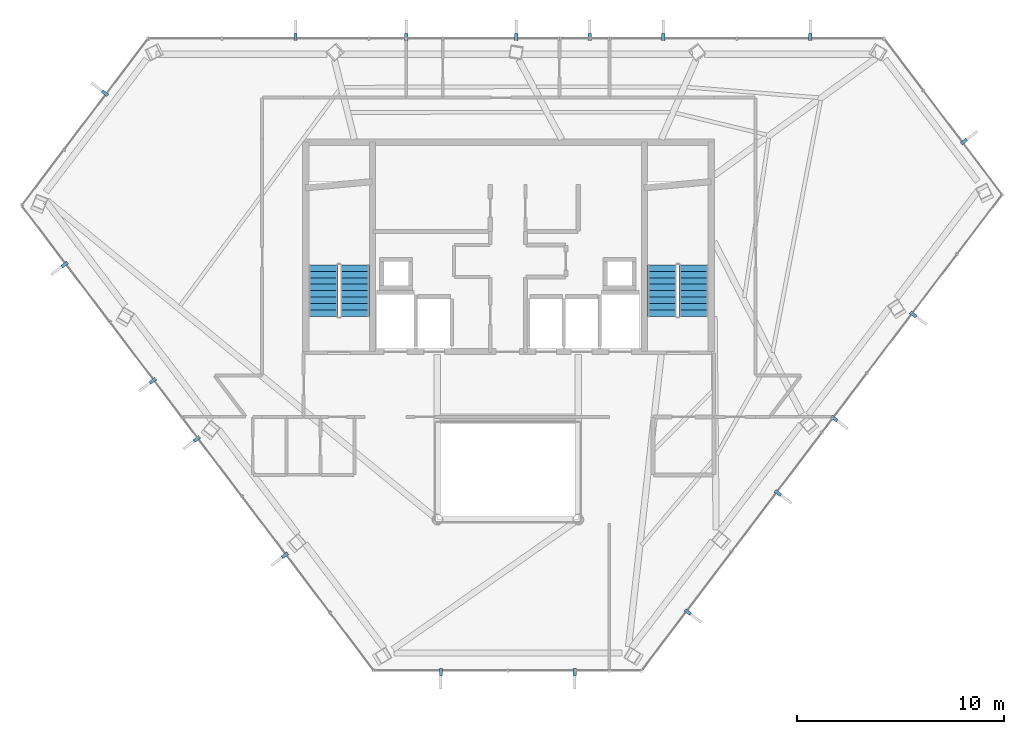
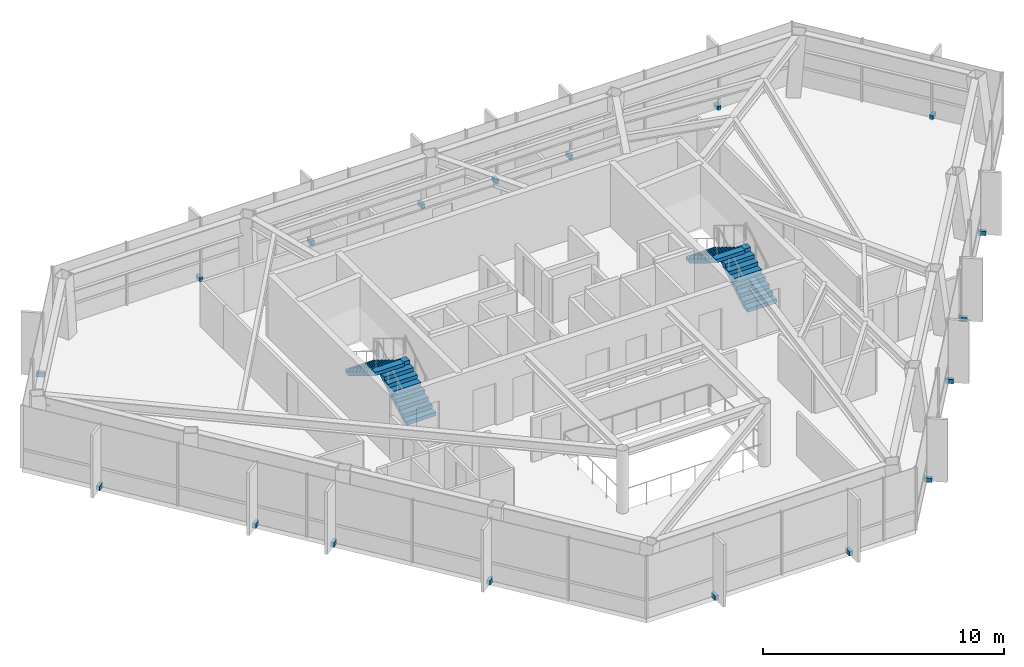
# One storey, part 26 of 27: 18 discrete accessories, 4 stair flights, 2 elements without a shape of their own.
"""IFC4 building model written with IfcOpenShell, lengths in metres."""

from ifc_helpers import new_model, si_unit, direction, frame, origin, origin_2d, place, context, subcontext, project, spatial, polyline, rectangle, outline, extrude, material, type_object, element, aggregate, save


model = new_model("IFC4")

# Units and contexts
model_context = context("Model", 3, precision=1e-05, world=origin(), true_north=direction((0.0, 1.0)))
body_context = subcontext(model_context, "Body", "Model", "MODEL_VIEW")
ifc_project = project(units=[si_unit("LENGTHUNIT", "METRE"), si_unit("AREAUNIT", "SQUARE_METRE"), si_unit("VOLUMEUNIT", "CUBIC_METRE"), si_unit("PLANEANGLEUNIT", "RADIAN"), si_unit("MASSUNIT", "GRAM", prefix="KILO")], contexts=[model_context])

# Site, building, storey
site_placement = place(None, origin())
site = spatial("IfcSite", under=ifc_project, at=site_placement, CompositionType="ELEMENT")
building_placement = place(site_placement, origin())
building = spatial("IfcBuilding", under=site, at=building_placement, Name="Zarrinselat Tower", CompositionType="ELEMENT")
storey_placement = place(building_placement, frame((0.0, 0.0, 215.56005859375)))
storey = spatial("IfcBuildingStorey", under=building, at=storey_placement, Name="L53", CompositionType="ELEMENT", Elevation=215.56005859375)

# Stair, stair flights
ifc_material_1 = material(Name="Concrete C40/50", Category="concrete")
stair_type = type_object("IfcStairType", Name="STR-CORE-155", PredefinedType="HALF_TURN_STAIR", material=ifc_material_1)
stair_1_placement = place(storey_placement, origin())
stair_1 = element("IfcStair", 1, at=stair_1_placement, inside=storey, type_object=stair_type, Name="L53 Core Exit Stair 1", PredefinedType="HALF_TURN_STAIR")
ifc_material_2 = material(Name="Concrete C40/50", Category="concrete")
stair_flight_type = type_object("IfcStairFlightType", Name="STR-FLT-155", PredefinedType="STRAIGHT", material=ifc_material_2)
stair_flight_1_placement = place(storey_placement, frame((31.02001953125, 35.0, 0.0), z_axis=(0.0, 0.0, 1.0), x_axis=(0.0, 1.0, 0.0)))
stair_flight_1 = element("IfcStairFlight", 2, at=stair_flight_1_placement, type_object=stair_flight_type, Name="ST-1 flight 1", NumberOfRisers=9, NumberOfTreads=8, PredefinedType="STRAIGHT", RiserHeight=0.188888889, TreadLength=0.31, context=body_context, shape_type="SweptSolid", body=[
    extrude(outline(polyline([(0.0, 0.0), (0.0, 0.18896484375), (0.31005859375, 0.18896484375), (0.31005859375, 0.377685546875), (0.6201171875, 0.377685546875), (0.6201171875, 0.566650390625), (0.929931640625, 0.566650390625), (0.929931640625, 0.755615234375), (1.239990234375, 0.755615234375), (1.239990234375, 0.9443359375), (1.550048828125, 0.9443359375), (1.550048828125, 1.13330078125), (1.860107421875, 1.13330078125), (1.860107421875, 1.322265625), (2.169921875, 1.322265625), (2.169921875, 1.51123046875), (2.47998046875, 1.51123046875), (2.47998046875, 1.699951171875), (2.47998046875, 1.335693359375), (0.2880859375, 0.0), (0.0, 0.0)])), frame((0.0, 0.699951171875, 0.0), z_axis=(0.0, -1.0, 0.0), x_axis=(1.0, 0.0, 0.0)), (0.0, 0.0, 1.0), 1.39990234375),
])
stair_flight_2_placement = place(storey_placement, frame((29.5, 37.47998046875, 1.699951171875), z_axis=(0.0, 0.0, 1.0), x_axis=(0.0, -1.0, 0.0)))
stair_flight_2 = element("IfcStairFlight", 3, at=stair_flight_2_placement, type_object=stair_flight_type, Name="ST-1 flight 2", NumberOfRisers=9, NumberOfTreads=8, PredefinedType="STRAIGHT", RiserHeight=0.188888889, TreadLength=0.31, context=body_context, shape_type="SweptSolid", body=[
    extrude(outline(polyline([(0.0, 0.0), (0.0, 0.18896484375), (0.31005859375, 0.18896484375), (0.31005859375, 0.377685546875), (0.6201171875, 0.377685546875), (0.6201171875, 0.566650390625), (0.929931640625, 0.566650390625), (0.929931640625, 0.755615234375), (1.239990234375, 0.755615234375), (1.239990234375, 0.9443359375), (1.550048828125, 0.9443359375), (1.550048828125, 1.13330078125), (1.860107421875, 1.13330078125), (1.860107421875, 1.322265625), (2.169921875, 1.322265625), (2.169921875, 1.51123046875), (2.47998046875, 1.51123046875), (2.47998046875, 1.699951171875), (2.47998046875, 1.335693359375), (0.2880859375, 0.0), (0.0, 0.0)])), frame((0.0, 0.699951171875, 0.0), z_axis=(0.0, -1.0, 0.0), x_axis=(1.0, 0.0, 0.0)), (0.0, 0.0, 1.0), 1.39990234375),
])
aggregate(stair_1, [stair_flight_1, stair_flight_2])

stair_2_placement = place(storey_placement, origin())
stair_2 = element("IfcStair", 4, at=stair_2_placement, inside=storey, type_object=stair_type, Name="L53 Core Exit Stair 2", PredefinedType="HALF_TURN_STAIR")
stair_flight_3_placement = place(storey_placement, frame((47.360107421875, 35.0, 0.0), z_axis=(0.0, 0.0, 1.0), x_axis=(0.0, 1.0, 0.0)))
stair_flight_3 = element("IfcStairFlight", 5, at=stair_flight_3_placement, type_object=stair_flight_type, Name="ST-2 flight 1", NumberOfRisers=9, NumberOfTreads=8, PredefinedType="STRAIGHT", RiserHeight=0.188888889, TreadLength=0.31, context=body_context, shape_type="SweptSolid", body=[
    extrude(outline(polyline([(0.0, 0.0), (0.0, 0.18896484375), (0.31005859375, 0.18896484375), (0.31005859375, 0.377685546875), (0.6201171875, 0.377685546875), (0.6201171875, 0.566650390625), (0.929931640625, 0.566650390625), (0.929931640625, 0.755615234375), (1.239990234375, 0.755615234375), (1.239990234375, 0.9443359375), (1.550048828125, 0.9443359375), (1.550048828125, 1.13330078125), (1.860107421875, 1.13330078125), (1.860107421875, 1.322265625), (2.169921875, 1.322265625), (2.169921875, 1.51123046875), (2.47998046875, 1.51123046875), (2.47998046875, 1.699951171875), (2.47998046875, 1.335693359375), (0.2880859375, 0.0), (0.0, 0.0)])), frame((0.0, 0.699951171875, 0.0), z_axis=(0.0, -1.0, 0.0), x_axis=(1.0, 0.0, 0.0)), (0.0, 0.0, 1.0), 1.39990234375),
])
stair_flight_4_placement = place(storey_placement, frame((45.840087890625, 37.47998046875, 1.699951171875), z_axis=(0.0, 0.0, 1.0), x_axis=(0.0, -1.0, 0.0)))
stair_flight_4 = element("IfcStairFlight", 6, at=stair_flight_4_placement, type_object=stair_flight_type, Name="ST-2 flight 2", NumberOfRisers=9, NumberOfTreads=8, PredefinedType="STRAIGHT", RiserHeight=0.188888889, TreadLength=0.31, context=body_context, shape_type="SweptSolid", body=[
    extrude(outline(polyline([(0.0, 0.0), (0.0, 0.18896484375), (0.31005859375, 0.18896484375), (0.31005859375, 0.377685546875), (0.6201171875, 0.377685546875), (0.6201171875, 0.566650390625), (0.929931640625, 0.566650390625), (0.929931640625, 0.755615234375), (1.239990234375, 0.755615234375), (1.239990234375, 0.9443359375), (1.550048828125, 0.9443359375), (1.550048828125, 1.13330078125), (1.860107421875, 1.13330078125), (1.860107421875, 1.322265625), (2.169921875, 1.322265625), (2.169921875, 1.51123046875), (2.47998046875, 1.51123046875), (2.47998046875, 1.699951171875), (2.47998046875, 1.335693359375), (0.2880859375, 0.0), (0.0, 0.0)])), frame((0.0, 0.699951171875, 0.0), z_axis=(0.0, -1.0, 0.0), x_axis=(1.0, 0.0, 0.0)), (0.0, 0.0, 1.0), 1.39990234375),
])
aggregate(stair_2, [stair_flight_3, stair_flight_4])

# Discrete accessories
ifc_material_3 = material(Name="Steel S355J2", Category="steel")
discrete_accessory_type = type_object("IfcDiscreteAccessoryType", Name="ACC-FIN-BRACKET", PredefinedType="BRACKET", material=ifc_material_3)
for number, where, z_axis, x_axis, name in (
    (7, (52.993408203125, 48.481201171875, -0.0498046875), (0.0, 0.0, 1.0), (0.0, 1.0, 0.0), "L53 Fin Fixing Bracket CW-L53-E01-01"),
    (8, (45.897705078125, 48.481201171875, -0.0498046875), (0.0, 0.0, 1.0), (0.0, 1.0, 0.0), "L53 Fin Fixing Bracket CW-L53-E01-03"),
    (9, (42.349853515625, 48.481201171875, -0.0498046875), (0.0, 0.0, 1.0), (0.0, 1.0, 0.0), "L53 Fin Fixing Bracket CW-L53-E01-05"),
    (10, (38.802001953125, 48.481201171875, -0.0498046875), (0.0, 0.0, 1.0), (0.0, 1.0, 0.0), "L53 Fin Fixing Bracket CW-L53-E01-07"),
    (11, (33.5, 48.481201171875, -0.0498046875), (0.0, 0.0, 1.0), (0.0, 1.0, 0.0), "L53 Fin Fixing Bracket CW-L53-E01-09"),
    (12, (28.158447265625, 48.481201171875, -0.0498046875), (0.0, 0.0, 1.0), (0.0, 1.0, 0.0), "L53 Fin Fixing Bracket CW-L53-E01-11"),
    (13, (18.970458984375, 45.765380859375, -0.0498046875), (0.0, 0.0, 1.0), (-0.797095319947, 0.603853501206, 0.0), "L53 Fin Fixing Bracket CW-L53-E02-01"),
    (14, (17.0224609375, 37.5, -0.0498046875), (0.0, 0.0, 1.0), (-0.797091267247, -0.603858850791, 0.0), "L53 Fin Fixing Bracket CW-L53-E03-01"),
    (15, (21.271728515625, 31.89111328125, -0.0498046875), (0.0, 0.0, 1.0), (-0.797091267247, -0.603858850791, 0.0), "L53 Fin Fixing Bracket CW-L53-E03-03"),
    (16, (23.396484375, 29.08642578125, -0.0498046875), (0.0, 0.0, 1.0), (-0.797091267247, -0.603858850791, 0.0), "L53 Fin Fixing Bracket CW-L53-E03-05"),
    (17, (27.64599609375, 23.477294921875, -0.0498046875), (0.0, 0.0, 1.0), (-0.797091267247, -0.603858850791, 0.0), "L53 Fin Fixing Bracket CW-L53-E03-07"),
    (18, (35.175537109375, 17.840576171875, -0.0498046875), (0.0, 0.0, 1.0), (0.0, -1.0, 0.0), "L53 Fin Fixing Bracket CW-L53-E04-01"),
    (19, (41.62451171875, 17.840576171875, -0.0498046875), (0.0, 0.0, 1.0), (0.0, -1.0, 0.0), "L53 Fin Fixing Bracket CW-L53-E04-03"),
    (20, (47.07958984375, 20.739013671875, -0.0498046875), (0.0, 0.0, 1.0), (0.797090781384, -0.603859492128, 0.0), "L53 Fin Fixing Bracket CW-L53-E05-01"),
    (21, (51.4296875, 26.48095703125, -0.0498046875), (0.0, 0.0, 1.0), (0.797090781384, -0.603859492128, 0.0), "L53 Fin Fixing Bracket CW-L53-E05-03"),
    (22, (54.149658203125, 30.071533203125, -0.0498046875), (0.0, 0.0, 1.0), (0.797090781384, -0.603859492128, 0.0), "L53 Fin Fixing Bracket CW-L53-E05-05"),
    (23, (57.954345703125, 35.093505859375, -0.0498046875), (0.0, 0.0, 1.0), (0.797090781384, -0.603859492128, 0.0), "L53 Fin Fixing Bracket CW-L53-E05-07"),
    (24, (60.40185546875, 43.43115234375, -0.0498046875), (0.0, 0.0, 1.0), (0.797091993827, 0.603857891707, 0.0), "L53 Fin Fixing Bracket CW-L53-E06-01"),
):
    element("IfcDiscreteAccessory", number, at=place(storey_placement, frame(where, z_axis=z_axis, x_axis=x_axis)), inside=storey, type_object=discrete_accessory_type, Name=name, PredefinedType="BRACKET", context=body_context, shape_type="SweptSolid", body=[
        extrude(rectangle(XDim=0.340087890625, YDim=0.159912109375, at=origin_2d()), origin(), (0.0, 0.0, 1.0), 0.219970703125),
    ])

save(model, "model.ifc")
